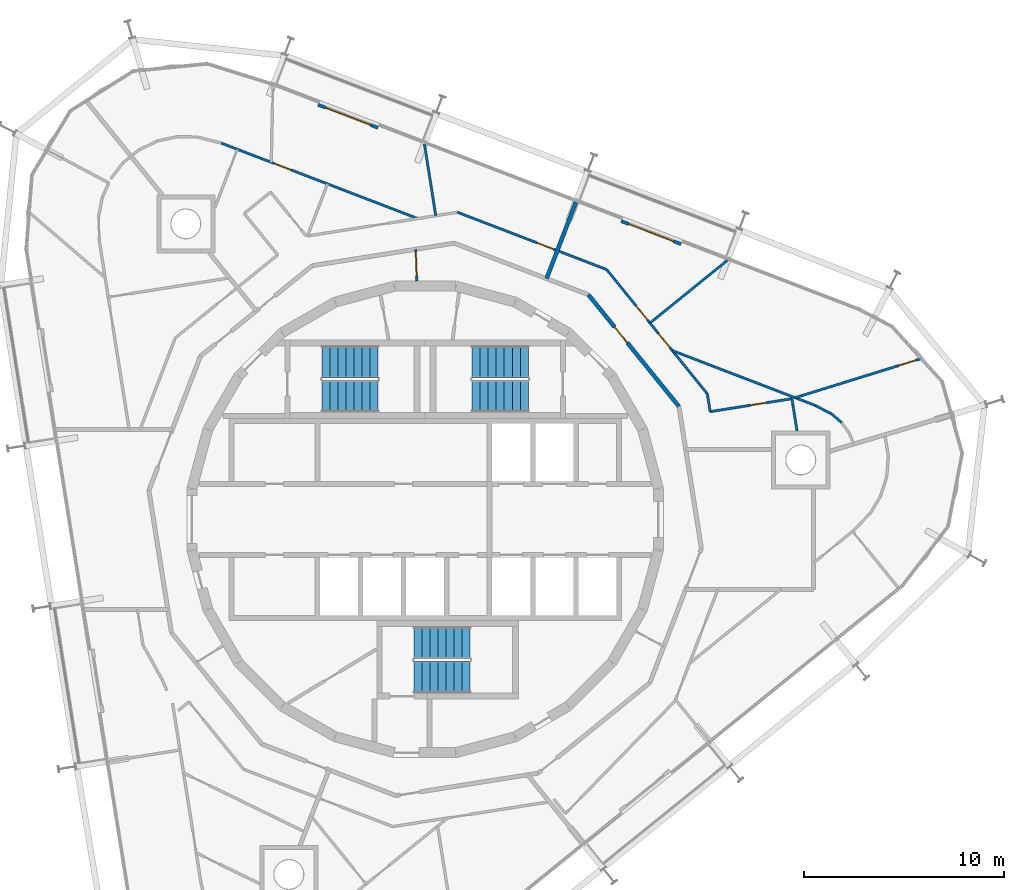
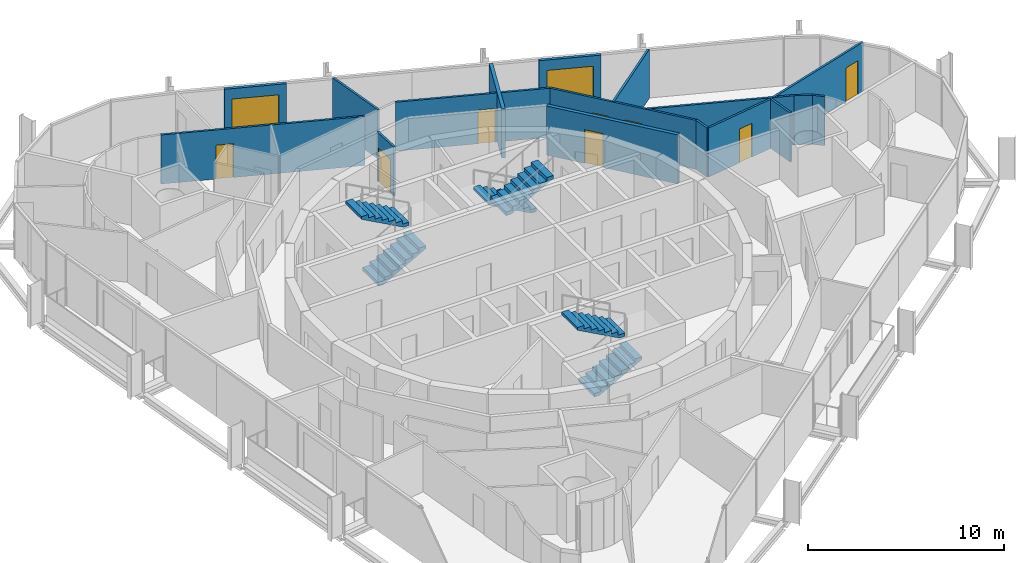
# One storey, part 16 of 17: 17 walls, 10 doors, 6 stair flights, 10 openings, 3 elements without a shape of their own.
"""IFC4 building model written with IfcOpenShell, lengths in metres."""

from ifc_helpers import new_model, si_unit, direction, frame, frame_2d, origin, place, context, subcontext, project, spatial, polyline, rectangle, outline, extrude, material, layer, layer_set, type_object, element, fill, aggregate, save


model = new_model("IFC4")

# Units and contexts
model_context = context("Model", 3, precision=1e-05, world=origin(), true_north=direction((0.0, 1.0)))
body_context = subcontext(model_context, "Body", "Model", "MODEL_VIEW")
ifc_project = project(units=[si_unit("LENGTHUNIT", "METRE"), si_unit("AREAUNIT", "SQUARE_METRE"), si_unit("VOLUMEUNIT", "CUBIC_METRE"), si_unit("PLANEANGLEUNIT", "RADIAN"), si_unit("MASSUNIT", "GRAM", prefix="KILO")], contexts=[model_context])

# Site, building, storey
site_placement = place(None, origin())
site = spatial("IfcSite", under=ifc_project, at=site_placement, CompositionType="ELEMENT")
building_placement = place(site_placement, origin())
building = spatial("IfcBuilding", under=site, at=building_placement, Name="Spindle Arch Residences", CompositionType="ELEMENT")
storey_placement = place(building_placement, frame((0.0, 0.0, 287.89990234375)))
storey = spatial("IfcBuildingStorey", under=building, at=storey_placement, Name="L74", CompositionType="ELEMENT", Elevation=287.89990234375)

# Wall, opening, door
ifc_material_1 = material(Name="Plasterboard on steel studs", Category="steel")
ifc_layer_1 = layer(ifc_material_1, 0.1201171875)
ifc_layer_set_1 = layer_set([ifc_layer_1], Name="Corridor division wall 120")
wall_type_1 = type_object("IfcWallType", Name="Corridor division wall 120", PredefinedType="PARTITIONING", material=ifc_layer_set_1)
wall_1_placement = place(storey_placement, frame((-0.47119140625, 13.492431640625, 0.0), z_axis=(0.0, 0.0, 1.0), x_axis=(0.034873173869, -0.999391745886, 0.0)))
wall_1 = element("IfcWall", 1, at=wall_1_placement, inside=storey, type_object=wall_type_1, Name="Corridor division wall R7C1-W001", PredefinedType="PARTITIONING", context=body_context, shape_type="SweptSolid", body=[
    extrude(rectangle(XDim=1.59619140625, YDim=0.1201171875, at=frame_2d((0.798095703125, 0.0))), origin(), (0.0, 0.0, 1.0), 3.050048828125),
])
opening_1_placement = place(wall_1_placement, frame((0.1201171875, 0.0, 0.0)))
opening_1 = element("IfcOpeningElement", 2, at=opening_1_placement, cuts=wall_1, Name="Opening R7C1-CD01", PredefinedType="OPENING", context=body_context, shape_type="SweptSolid", body=[
    extrude(rectangle(XDim=1.199951171875, YDim=2.10009765625, at=frame_2d((0.60009765625, 1.050048828125))), frame((0.0, 0.070068359375, 0.0), z_axis=(0.0, -1.0, 0.0), x_axis=(1.0, 0.0, 0.0)), (0.0, 0.0, 1.0), 0.14013671875),
])
ifc_material_2 = material(Name="Steel, fire-resisting door", Category="steel")
door_type_1 = type_object("IfcDoorType", Name="Corridor division door 1200x2100", OperationType="NOTDEFINED", PredefinedType="DOOR", material=ifc_material_2)
door_1_placement = place(opening_1_placement, origin())
door_1 = element("IfcDoor", 3, at=door_1_placement, inside=storey, type_object=door_type_1, Name="Corridor division door R7C1-CD01", OperationType="DOUBLE_DOOR_SINGLE_SWING", OverallHeight=2.10009765625, OverallWidth=1.199951171875, PredefinedType="DOOR", context=body_context, shape_type="SweptSolid", body=[
    extrude(rectangle(XDim=1.199951171875, YDim=2.10009765625, at=frame_2d((0.60009765625, 1.050048828125))), frame((0.0, 0.02490234375, 0.0), z_axis=(0.0, -1.0, 0.0), x_axis=(1.0, 0.0, 0.0)), (0.0, 0.0, 1.0), 0.050048828125),
])
fill(opening_1, door_1)

ifc_material_3 = material(Name="Calcium silicate block, plastered")
ifc_layer_2 = layer(ifc_material_3, 0.199951171875)
ifc_layer_set_2 = layer_set([ifc_layer_2], Name="Corridor wall 200")
wall_type_2 = type_object("IfcWallType", Name="Corridor wall 200", PredefinedType="STANDARD", material=ifc_layer_set_2)
wall_2_placement = place(storey_placement, frame((12.67333984375, 5.642578125, 0.0), z_axis=(0.0, 0.0, 1.0), x_axis=(-0.629302871585, 0.777160148113, 0.0)))
wall_2 = element("IfcWall", 4, at=wall_2_placement, inside=storey, type_object=wall_type_2, Name="Corridor wall R7C1-W006", PredefinedType="STANDARD", context=body_context, shape_type="SweptSolid", body=[
    extrude(rectangle(XDim=7.180908203125, YDim=0.199951171875, at=frame_2d((3.59033203125, 0.0))), origin(), (0.0, 0.0, 1.0), 3.050048828125),
])
opening_2_placement = place(wall_2_placement, frame((4.10009765625, 0.0, 0.0)))
opening_2 = element("IfcOpeningElement", 5, at=opening_2_placement, cuts=wall_2, Name="Opening R7C1-FD01", PredefinedType="OPENING", context=body_context, shape_type="SweptSolid", body=[
    extrude(rectangle(XDim=1.0, YDim=2.10009765625, at=frame_2d((0.5, 1.050048828125))), frame((0.0, 0.10986328125, 0.0), z_axis=(0.0, -1.0, 0.0), x_axis=(1.0, 0.0, 0.0)), (0.0, 0.0, 1.0), 0.219970703125),
])
ifc_material_4 = material(Name="Timber, fire-resisting door set", Category="wood")
door_type_2 = type_object("IfcDoorType", Name="Flat entrance door 1000x2100", OperationType="NOTDEFINED", PredefinedType="DOOR", material=ifc_material_4)
door_2_placement = place(opening_2_placement, origin())
door_2 = element("IfcDoor", 6, at=door_2_placement, inside=storey, type_object=door_type_2, Name="Flat entrance door R7C1-FD01", OperationType="SINGLE_SWING_LEFT", OverallHeight=2.10009765625, OverallWidth=1.0, PredefinedType="DOOR", context=body_context, shape_type="SweptSolid", body=[
    extrude(rectangle(XDim=1.0, YDim=2.10009765625, at=frame_2d((0.5, 1.050048828125))), frame((0.0, 0.02490234375, 0.0), z_axis=(0.0, -1.0, 0.0), x_axis=(1.0, 0.0, 0.0)), (0.0, 0.0, 1.0), 0.050048828125),
])
fill(opening_2, door_2)

# Wall
ifc_material_5 = material(Name="Plasterboard on steel studs", Category="steel")
ifc_layer_3 = layer(ifc_material_5, 0.1201171875)
ifc_layer_set_3 = layer_set([ifc_layer_3], Name="Flat partition 120")
wall_type_3 = type_object("IfcWallType", Name="Flat partition 120", PredefinedType="PARTITIONING", material=ifc_layer_set_3)
wall_3_placement = place(storey_placement, frame((18.572021484375, 4.421142578125, 0.0), z_axis=(0.0, 0.0, 1.0), x_axis=(-0.156347444306, 0.987702119396, 0.0)))
element("IfcWall", 7, at=wall_3_placement, inside=storey, type_object=wall_type_3, Name="Flat partition R7C1-W031", PredefinedType="PARTITIONING", context=body_context, shape_type="SweptSolid", body=[
    extrude(rectangle(XDim=1.628662109375, YDim=0.1201171875, at=frame_2d((0.814453125, 0.0))), origin(), (0.0, 0.0, 1.0), 3.050048828125),
])

# Wall, opening, door
wall_4_placement = place(storey_placement, frame((18.3173828125, 6.02978515625, 0.0), z_axis=(0.0, 0.0, 1.0), x_axis=(-0.9876848128, -0.156456737039, 0.0)))
wall_4 = element("IfcWall", 8, at=wall_4_placement, inside=storey, type_object=wall_type_3, Name="Flat partition R7C1-W032", PredefinedType="PARTITIONING", context=body_context, shape_type="SweptSolid", body=[
    extrude(rectangle(XDim=4.13525390625, YDim=0.1201171875, at=frame_2d((2.067626953125, 0.0))), origin(), (0.0, 0.0, 1.0), 3.050048828125),
])
opening_3_placement = place(wall_4_placement, frame((1.300048828125, 0.0, 0.0)))
opening_3 = element("IfcOpeningElement", 9, at=opening_3_placement, cuts=wall_4, Name="Opening R7C1-BD01", PredefinedType="OPENING", context=body_context, shape_type="SweptSolid", body=[
    extrude(rectangle(XDim=0.800048828125, YDim=2.10009765625, at=frame_2d((0.39990234375, 1.050048828125))), frame((0.0, 0.070068359375, 0.0), z_axis=(0.0, -1.0, 0.0), x_axis=(1.0, 0.0, 0.0)), (0.0, 0.0, 1.0), 0.14013671875),
])
ifc_material_6 = material(Name="Timber door set", Category="wood")
door_type_3 = type_object("IfcDoorType", Name="Bathroom door 800x2100", OperationType="NOTDEFINED", PredefinedType="DOOR", material=ifc_material_6)
door_3_placement = place(opening_3_placement, origin())
door_3 = element("IfcDoor", 10, at=door_3_placement, inside=storey, type_object=door_type_3, Name="Bathroom door R7C1-BD01", OperationType="SINGLE_SWING_LEFT", OverallHeight=2.10009765625, OverallWidth=0.800048828125, PredefinedType="DOOR", context=body_context, shape_type="SweptSolid", body=[
    extrude(rectangle(XDim=0.800048828125, YDim=2.10009765625, at=frame_2d((0.39990234375, 1.050048828125))), frame((0.0, 0.02490234375, 0.0), z_axis=(0.0, -1.0, 0.0), x_axis=(1.0, 0.0, 0.0)), (0.0, 0.0, 1.0), 0.050048828125),
])
fill(opening_3, door_3)

# Wall
wall_5_placement = place(storey_placement, frame((14.233154296875, 5.3828125, 0.0), z_axis=(0.0, 0.0, 1.0), x_axis=(-0.156365428504, 0.987699272435, 0.0)))
element("IfcWall", 11, at=wall_5_placement, inside=storey, type_object=wall_type_3, Name="Flat partition R7C1-W033", PredefinedType="PARTITIONING", context=body_context, shape_type="SweptSolid", body=[
    extrude(rectangle(XDim=0.90234375, YDim=0.1201171875, at=frame_2d((0.451171875, 0.0))), origin(), (0.0, 0.0, 1.0), 3.050048828125),
])

# Wall, openings, doors
wall_6_placement = place(storey_placement, frame((14.092041015625, 6.274169921875, 0.0), z_axis=(0.0, 0.0, 1.0), x_axis=(-0.62933367237, 0.777135206268, 0.0)))
wall_6 = element("IfcWall", 12, at=wall_6_placement, inside=storey, type_object=wall_type_3, Name="Flat partition R7C1-W034", PredefinedType="PARTITIONING", context=body_context, shape_type="SweptSolid", body=[
    extrude(rectangle(XDim=7.98486328125, YDim=0.1201171875, at=frame_2d((3.992431640625, 0.0))), origin(), (0.0, 0.0, 1.0), 3.050048828125),
])
opening_4_placement = place(wall_6_placement, frame((2.97802734375, 0.0, 0.0)))
opening_4 = element("IfcOpeningElement", 13, at=opening_4_placement, cuts=wall_6, Name="Opening R7C1-ID01", PredefinedType="OPENING", context=body_context, shape_type="SweptSolid", body=[
    extrude(rectangle(XDim=0.89990234375, YDim=2.10009765625, at=frame_2d((0.449951171875, 1.050048828125))), frame((0.0, 0.070068359375, 0.0), z_axis=(0.0, -1.0, 0.0), x_axis=(1.0, 0.0, 0.0)), (0.0, 0.0, 1.0), 0.14013671875),
])
opening_5_placement = place(wall_6_placement, frame((4.7490234375, 0.0, 0.0)))
opening_5 = element("IfcOpeningElement", 14, at=opening_5_placement, cuts=wall_6, Name="Opening R7C1-ID02", PredefinedType="OPENING", context=body_context, shape_type="SweptSolid", body=[
    extrude(rectangle(XDim=0.89990234375, YDim=2.10009765625, at=frame_2d((0.449951171875, 1.050048828125))), frame((0.0, 0.070068359375, 0.0), z_axis=(0.0, -1.0, 0.0), x_axis=(1.0, 0.0, 0.0)), (0.0, 0.0, 1.0), 0.14013671875),
])
ifc_material_7 = material(Name="Timber door set", Category="wood")
door_type_4 = type_object("IfcDoorType", Name="Room door 900x2100", OperationType="NOTDEFINED", PredefinedType="DOOR", material=ifc_material_7)
door_4_placement = place(opening_4_placement, origin())
door_4 = element("IfcDoor", 15, at=door_4_placement, inside=storey, type_object=door_type_4, Name="Room door R7C1-ID01", OperationType="SINGLE_SWING_LEFT", OverallHeight=2.10009765625, OverallWidth=0.89990234375, PredefinedType="DOOR", context=body_context, shape_type="SweptSolid", body=[
    extrude(rectangle(XDim=0.89990234375, YDim=2.10009765625, at=frame_2d((0.449951171875, 1.050048828125))), frame((0.0, 0.02490234375, 0.0), z_axis=(0.0, -1.0, 0.0), x_axis=(1.0, 0.0, 0.0)), (0.0, 0.0, 1.0), 0.050048828125),
])
fill(opening_4, door_4)
door_5_placement = place(opening_5_placement, origin())
door_5 = element("IfcDoor", 16, at=door_5_placement, inside=storey, type_object=door_type_4, Name="Room door R7C1-ID02", OperationType="SINGLE_SWING_LEFT", OverallHeight=2.10009765625, OverallWidth=0.89990234375, PredefinedType="DOOR", context=body_context, shape_type="SweptSolid", body=[
    extrude(rectangle(XDim=0.89990234375, YDim=2.10009765625, at=frame_2d((0.449951171875, 1.050048828125))), frame((0.0, 0.02490234375, 0.0), z_axis=(0.0, -1.0, 0.0), x_axis=(1.0, 0.0, 0.0)), (0.0, 0.0, 1.0), 0.050048828125),
])
fill(opening_5, door_5)

# Wall, opening, door
wall_7_placement = place(storey_placement, frame((9.06689453125, 12.4794921875, 0.0), z_axis=(0.0, 0.0, 1.0), x_axis=(-0.933579449035, 0.358370495911, 0.0)))
wall_7 = element("IfcWall", 17, at=wall_7_placement, inside=storey, type_object=wall_type_3, Name="Flat partition R7C1-W035", PredefinedType="PARTITIONING", context=body_context, shape_type="SweptSolid", body=[
    extrude(rectangle(XDim=7.98486328125, YDim=0.1201171875, at=frame_2d((3.992431640625, 0.0))), origin(), (0.0, 0.0, 1.0), 3.050048828125),
])
opening_6_placement = place(wall_7_placement, frame((2.841064453125, 0.0, 0.0)))
opening_6 = element("IfcOpeningElement", 18, at=opening_6_placement, cuts=wall_7, Name="Opening R7C1-ID04", PredefinedType="OPENING", context=body_context, shape_type="SweptSolid", body=[
    extrude(rectangle(XDim=0.89990234375, YDim=2.10009765625, at=frame_2d((0.449951171875, 1.050048828125))), frame((0.0, 0.070068359375, 0.0), z_axis=(0.0, -1.0, 0.0), x_axis=(1.0, 0.0, 0.0)), (0.0, 0.0, 1.0), 0.14013671875),
])
door_6_placement = place(opening_6_placement, origin())
door_6 = element("IfcDoor", 19, at=door_6_placement, inside=storey, type_object=door_type_4, Name="Room door R7C1-ID04", OperationType="SINGLE_SWING_LEFT", OverallHeight=2.10009765625, OverallWidth=0.89990234375, PredefinedType="DOOR", context=body_context, shape_type="SweptSolid", body=[
    extrude(rectangle(XDim=0.89990234375, YDim=2.10009765625, at=frame_2d((0.449951171875, 1.050048828125))), frame((0.0, 0.02490234375, 0.0), z_axis=(0.0, -1.0, 0.0), x_axis=(1.0, 0.0, 0.0)), (0.0, 0.0, 1.0), 0.050048828125),
])
fill(opening_6, door_6)

# Walls
wall_8_placement = place(storey_placement, frame((12.34375, 8.43310546875, 0.0), z_axis=(0.0, 0.0, 1.0), x_axis=(0.933573435176, -0.358386162029, 0.0)))
element("IfcWall", 20, at=wall_8_placement, inside=storey, type_object=wall_type_3, Name="Flat partition R7C1-W036", PredefinedType="PARTITIONING", context=body_context, shape_type="SweptSolid", body=[
    extrude(rectangle(XDim=7.64404296875, YDim=0.1201171875, at=frame_2d((3.822021484375, 0.0))), origin(), (0.0, 0.0, 1.0), 3.050048828125),
])
wall_9_placement = place(storey_placement, frame((19.47998046875, 5.693603515625, 0.0), z_axis=(0.0, 0.0, 1.0), x_axis=(0.885755816688, -0.464151519662, 0.0)))
element("IfcWall", 21, at=wall_9_placement, inside=storey, type_object=wall_type_3, Name="Flat partition R7C1-W037", PredefinedType="PARTITIONING", context=body_context, shape_type="SweptSolid", body=[
    extrude(rectangle(XDim=0.94677734375, YDim=0.1201171875, at=frame_2d((0.473388671875, 0.0))), origin(), (0.0, 0.0, 1.0), 3.050048828125),
])
wall_10_placement = place(storey_placement, frame((20.318603515625, 5.254150390625, 0.0), z_axis=(0.0, 0.0, 1.0), x_axis=(0.754646464307, -0.656131628493, 0.0)))
element("IfcWall", 22, at=wall_10_placement, inside=storey, type_object=wall_type_3, Name="Flat partition R7C1-W038", PredefinedType="PARTITIONING", context=body_context, shape_type="SweptSolid", body=[
    extrude(rectangle(XDim=0.641845703125, YDim=0.1201171875, at=frame_2d((0.32080078125, 0.0))), origin(), (0.0, 0.0, 1.0), 3.050048828125),
])

# Wall, opening, door
wall_11_placement = place(storey_placement, frame((24.883056640625, 8.06640625, 0.0), z_axis=(0.0, 0.0, 1.0), x_axis=(-0.955106049863, -0.296264127958, 0.0)))
wall_11 = element("IfcWall", 23, at=wall_11_placement, inside=storey, type_object=wall_type_3, Name="Flat partition R7C1-W041", PredefinedType="PARTITIONING", context=body_context, shape_type="SweptSolid", body=[
    extrude(rectangle(XDim=6.707763671875, YDim=0.1201171875, at=frame_2d((3.35400390625, 0.0))), origin(), (0.0, 0.0, 1.0), 3.050048828125),
])
opening_7_placement = place(wall_11_placement, frame((0.39990234375, 0.0, 0.0)))
opening_7 = element("IfcOpeningElement", 24, at=opening_7_placement, cuts=wall_11, Name="Opening R7C1-ID03", PredefinedType="OPENING", context=body_context, shape_type="SweptSolid", body=[
    extrude(rectangle(XDim=0.89990234375, YDim=2.10009765625, at=frame_2d((0.449951171875, 1.050048828125))), frame((0.0, 0.070068359375, 0.0), z_axis=(0.0, -1.0, 0.0), x_axis=(1.0, 0.0, 0.0)), (0.0, 0.0, 1.0), 0.14013671875),
])
door_7_placement = place(opening_7_placement, origin())
door_7 = element("IfcDoor", 25, at=door_7_placement, inside=storey, type_object=door_type_4, Name="Room door R7C1-ID03", OperationType="SINGLE_SWING_LEFT", OverallHeight=2.10009765625, OverallWidth=0.89990234375, PredefinedType="DOOR", context=body_context, shape_type="SweptSolid", body=[
    extrude(rectangle(XDim=0.89990234375, YDim=2.10009765625, at=frame_2d((0.449951171875, 1.050048828125))), frame((0.0, 0.02490234375, 0.0), z_axis=(0.0, -1.0, 0.0), x_axis=(1.0, 0.0, 0.0)), (0.0, 0.0, 1.0), 0.050048828125),
])
fill(opening_7, door_7)

# Walls
wall_12_placement = place(storey_placement, frame((15.100830078125, 12.944580078125, 0.0), z_axis=(0.0, 0.0, 1.0), x_axis=(-0.777178675378, -0.629279990575, 0.0)))
element("IfcWall", 26, at=wall_12_placement, inside=storey, type_object=wall_type_3, Name="Flat partition R7C1-W042", PredefinedType="PARTITIONING", context=body_context, shape_type="SweptSolid", body=[
    extrude(rectangle(XDim=4.98193359375, YDim=0.1201171875, at=frame_2d((2.490966796875, 0.0))), origin(), (0.0, 0.0, 1.0), 3.050048828125),
])
wall_13_placement = place(storey_placement, frame((-0.037353515625, 18.755615234375, 0.0), z_axis=(0.0, 0.0, 1.0), x_axis=(0.156421851095, -0.987690338365, 0.0)))
element("IfcWall", 27, at=wall_13_placement, inside=storey, type_object=wall_type_3, Name="Flat partition R7C1-W048", PredefinedType="PARTITIONING", context=body_context, shape_type="SweptSolid", body=[
    extrude(rectangle(XDim=3.63037109375, YDim=0.1201171875, at=frame_2d((1.815185546875, 0.0))), origin(), (0.0, 0.0, 1.0), 3.050048828125),
])

# Wall, opening, door
wall_14_placement = place(storey_placement, frame((-10.180419921875, 18.793212890625, 0.0), z_axis=(0.0, 0.0, 1.0), x_axis=(0.933574148929, -0.358384302742, 0.0)))
wall_14 = element("IfcWall", 28, at=wall_14_placement, inside=storey, type_object=wall_type_3, Name="Flat partition R7C1-W049", PredefinedType="PARTITIONING", context=body_context, shape_type="SweptSolid", body=[
    extrude(rectangle(XDim=10.508544921875, YDim=0.1201171875, at=frame_2d((5.25439453125, 0.0))), origin(), (0.0, 0.0, 1.0), 3.050048828125),
])
opening_8_placement = place(wall_14_placement, frame((2.829345703125, 0.0, 0.0)))
opening_8 = element("IfcOpeningElement", 29, at=opening_8_placement, cuts=wall_14, Name="Opening R7C1-ID06", PredefinedType="OPENING", context=body_context, shape_type="SweptSolid", body=[
    extrude(rectangle(XDim=0.89990234375, YDim=2.10009765625, at=frame_2d((0.449951171875, 1.050048828125))), frame((0.0, 0.070068359375, 0.0), z_axis=(0.0, -1.0, 0.0), x_axis=(1.0, 0.0, 0.0)), (0.0, 0.0, 1.0), 0.14013671875),
])
door_8_placement = place(opening_8_placement, origin())
door_8 = element("IfcDoor", 30, at=door_8_placement, inside=storey, type_object=door_type_4, Name="Room door R7C1-ID06", OperationType="SINGLE_SWING_RIGHT", OverallHeight=2.10009765625, OverallWidth=0.89990234375, PredefinedType="DOOR", context=body_context, shape_type="SweptSolid", body=[
    extrude(rectangle(XDim=0.89990234375, YDim=2.10009765625, at=frame_2d((0.449951171875, 1.050048828125))), frame((0.0, 0.02490234375, 0.0), z_axis=(0.0, -1.0, 0.0), x_axis=(1.0, 0.0, 0.0)), (0.0, 0.0, 1.0), 0.050048828125),
])
fill(opening_8, door_8)

# Wall
ifc_material_8 = material(Name="Calcium silicate block, plastered")
ifc_layer_4 = layer(ifc_material_8, 0.199951171875)
ifc_layer_set_4 = layer_set([ifc_layer_4], Name="Flat party wall 200")
wall_type_4 = type_object("IfcWallType", Name="Flat party wall 200", PredefinedType="STANDARD", material=ifc_layer_set_4)
wall_15_placement = place(storey_placement, frame((7.53173828125, 15.85009765625, 0.0), z_axis=(0.0, 0.0, 1.0), x_axis=(-0.358355996975, -0.933585014571, 0.0)))
element("IfcWall", 31, at=wall_15_placement, inside=storey, type_object=wall_type_4, Name="Flat party wall R7C1-W022", PredefinedType="STANDARD", context=body_context, shape_type="SweptSolid", body=[
    extrude(rectangle(XDim=4.096435546875, YDim=0.199951171875, at=frame_2d((2.04833984375, 0.0))), origin(), (0.0, 0.0, 1.0), 3.050048828125),
])

# Wall, opening, door
ifc_material_9 = material(Name="Non-combustible mineral wool insulated aluminium faced external wall (K0)", Category="aluminium")
ifc_layer_5 = layer(ifc_material_9, 0.159912109375)
ifc_layer_set_5 = layer_set([ifc_layer_5], Name="Insulated external wall panel 160")
wall_type_5 = type_object("IfcWallType", Name="Insulated external wall panel 160", PredefinedType="STANDARD", material=ifc_layer_set_5)
wall_16_placement = place(storey_placement, frame((12.78125, 13.74951171875, 0.0), z_axis=(0.0, 0.0, 1.0), x_axis=(-0.933579413923, 0.358370587381, 0.0)))
wall_16 = element("IfcWall", 32, at=wall_16_placement, inside=storey, type_object=wall_type_5, Name="External wall L74 bay 6", PredefinedType="STANDARD", context=body_context, shape_type="SweptSolid", body=[
    extrude(rectangle(XDim=3.199951171875, YDim=0.159912109375, at=frame_2d((1.60009765625, 0.0))), origin(), (0.0, 0.0, 1.0), 3.050048828125),
])
opening_9_placement = place(wall_16_placement, frame((0.39990234375, 0.0, 0.0)))
opening_9 = element("IfcOpeningElement", 33, at=opening_9_placement, cuts=wall_16, Name="Opening BD06", PredefinedType="OPENING", context=body_context, shape_type="SweptSolid", body=[
    extrude(rectangle(XDim=2.39990234375, YDim=2.39990234375, at=frame_2d((1.199951171875, 1.199951171875))), frame((0.0, 0.08984375, 0.0), z_axis=(0.0, -1.0, 0.0), x_axis=(1.0, 0.0, 0.0)), (0.0, 0.0, 1.0), 0.179931640625),
])
ifc_material_10 = material(Name="Bronze aluminium frame, tinted double glazing", Category="aluminium")
door_type_5 = type_object("IfcDoorType", Name="Sliding glazed balcony door 2400x2400", OperationType="DOUBLE_DOOR_SLIDING", PredefinedType="DOOR", material=ifc_material_10)
door_9_placement = place(opening_9_placement, origin())
door_9 = element("IfcDoor", 34, at=door_9_placement, inside=storey, type_object=door_type_5, Name="Balcony door BD06", OperationType="DOUBLE_DOOR_SLIDING", OverallHeight=2.39990234375, OverallWidth=2.39990234375, PredefinedType="DOOR", context=body_context, shape_type="SweptSolid", body=[
    extrude(rectangle(XDim=2.39990234375, YDim=2.39990234375, at=frame_2d((1.199951171875, 1.199951171875))), frame((0.0, 0.02490234375, 0.0), z_axis=(0.0, -1.0, 0.0), x_axis=(1.0, 0.0, 0.0)), (0.0, 0.0, 1.0), 0.050048828125),
])
fill(opening_9, door_9)

wall_17_placement = place(storey_placement, frame((-2.35693359375, 19.560302734375, 0.0), z_axis=(0.0, 0.0, 1.0), x_axis=(-0.933553885508, 0.358437083534, 0.0)))
wall_17 = element("IfcWall", 35, at=wall_17_placement, inside=storey, type_object=wall_type_5, Name="External wall L74 bay 8", PredefinedType="STANDARD", context=body_context, shape_type="SweptSolid", body=[
    extrude(rectangle(XDim=3.199951171875, YDim=0.159912109375, at=frame_2d((1.60009765625, 0.0))), origin(), (0.0, 0.0, 1.0), 3.050048828125),
])
opening_10_placement = place(wall_17_placement, frame((0.39990234375, 0.0, 0.0)))
opening_10 = element("IfcOpeningElement", 36, at=opening_10_placement, cuts=wall_17, Name="Opening BD08", PredefinedType="OPENING", context=body_context, shape_type="SweptSolid", body=[
    extrude(rectangle(XDim=2.39990234375, YDim=2.39990234375, at=frame_2d((1.199951171875, 1.199951171875))), frame((0.0, 0.08984375, 0.0), z_axis=(0.0, -1.0, 0.0), x_axis=(1.0, 0.0, 0.0)), (0.0, 0.0, 1.0), 0.179931640625),
])
door_10_placement = place(opening_10_placement, origin())
door_10 = element("IfcDoor", 37, at=door_10_placement, inside=storey, type_object=door_type_5, Name="Balcony door BD08", OperationType="DOUBLE_DOOR_SLIDING", OverallHeight=2.39990234375, OverallWidth=2.39990234375, PredefinedType="DOOR", context=body_context, shape_type="SweptSolid", body=[
    extrude(rectangle(XDim=2.39990234375, YDim=2.39990234375, at=frame_2d((1.199951171875, 1.199951171875))), frame((0.0, 0.02490234375, 0.0), z_axis=(0.0, -1.0, 0.0), x_axis=(1.0, 0.0, 0.0)), (0.0, 0.0, 1.0), 0.050048828125),
])
fill(opening_10, door_10)

# Stair, stair flights
ifc_material_11 = material(Name="Concrete C50/60", Category="concrete")
stair_type = type_object("IfcStairType", Name="Exit stair 16 risers", PredefinedType="HALF_TURN_STAIR", material=ifc_material_11)
stair_1_placement = place(storey_placement, origin())
stair_1 = element("IfcStair", 38, at=stair_1_placement, inside=storey, type_object=stair_type, Name="L74 Exit stair ST1", PredefinedType="HALF_TURN_STAIR")
ifc_material_12 = material(Name="Concrete C50/60", Category="concrete")
stair_flight_type = type_object("IfcStairFlightType", Name="Exit stair flight", PredefinedType="STRAIGHT", material=ifc_material_12)
stair_flight_1_placement = place(storey_placement, frame((5.14990234375, 7.8701171875, 0.0), z_axis=(0.0, 0.0, 1.0), x_axis=(-1.0, 0.0, 0.0)))
stair_flight_1 = element("IfcStairFlight", 39, at=stair_flight_1_placement, type_object=stair_flight_type, Name="ST1 flight 1", NumberOfRisers=8, NumberOfTreads=7, PredefinedType="STRAIGHT", RiserHeight=0.21875, TreadLength=0.4, context=body_context, shape_type="SweptSolid", body=[
    extrude(outline(polyline([(0.0, 0.0), (0.0, 0.21875), (0.39990234375, 0.21875), (0.39990234375, 0.4375), (0.800048828125, 0.4375), (0.800048828125, 0.65625), (1.199951171875, 0.65625), (1.199951171875, 0.875), (1.60009765625, 0.875), (1.60009765625, 1.09375), (2.0, 1.09375), (2.0, 1.3125), (2.39990234375, 1.3125), (2.39990234375, 1.53125), (2.800048828125, 1.53125), (2.800048828125, 1.75), (2.800048828125, 1.3603515625), (0.3125, 0.0), (0.0, 0.0)])), frame((0.0, 0.800048828125, 0.0), z_axis=(0.0, -1.0, 0.0), x_axis=(1.0, 0.0, 0.0)), (0.0, 0.0, 1.0), 1.60009765625),
])
stair_flight_2_placement = place(storey_placement, frame((2.35009765625, 6.14990234375, 1.75), z_axis=(0.0, 0.0, 1.0), x_axis=(1.0, 0.0, 0.0)))
stair_flight_2 = element("IfcStairFlight", 40, at=stair_flight_2_placement, type_object=stair_flight_type, Name="ST1 flight 2", NumberOfRisers=8, NumberOfTreads=7, PredefinedType="STRAIGHT", RiserHeight=0.21875, TreadLength=0.4, context=body_context, shape_type="SweptSolid", body=[
    extrude(outline(polyline([(0.0, 0.0), (0.0, 0.21875), (0.39990234375, 0.21875), (0.39990234375, 0.4375), (0.800048828125, 0.4375), (0.800048828125, 0.65625), (1.199951171875, 0.65625), (1.199951171875, 0.875), (1.60009765625, 0.875), (1.60009765625, 1.09375), (2.0, 1.09375), (2.0, 1.3125), (2.39990234375, 1.3125), (2.39990234375, 1.53125), (2.800048828125, 1.53125), (2.800048828125, 1.75), (2.800048828125, 1.3603515625), (0.3125, 0.0), (0.0, 0.0)])), frame((0.0, 0.800048828125, 0.0), z_axis=(0.0, -1.0, 0.0), x_axis=(1.0, 0.0, 0.0)), (0.0, 0.0, 1.0), 1.60009765625),
])
aggregate(stair_1, [stair_flight_1, stair_flight_2])

stair_2_placement = place(storey_placement, origin())
stair_2 = element("IfcStair", 41, at=stair_2_placement, inside=storey, type_object=stair_type, Name="L74 Exit stair ST2", PredefinedType="HALF_TURN_STAIR")
stair_flight_3_placement = place(storey_placement, frame((-5.14990234375, 6.14990234375, 0.0), z_axis=(0.0, 0.0, 1.0), x_axis=(1.0, 0.0, 0.0)))
stair_flight_3 = element("IfcStairFlight", 42, at=stair_flight_3_placement, type_object=stair_flight_type, Name="ST2 flight 1", NumberOfRisers=8, NumberOfTreads=7, PredefinedType="STRAIGHT", RiserHeight=0.21875, TreadLength=0.4, context=body_context, shape_type="SweptSolid", body=[
    extrude(outline(polyline([(0.0, 0.0), (0.0, 0.21875), (0.39990234375, 0.21875), (0.39990234375, 0.4375), (0.800048828125, 0.4375), (0.800048828125, 0.65625), (1.199951171875, 0.65625), (1.199951171875, 0.875), (1.60009765625, 0.875), (1.60009765625, 1.09375), (2.0, 1.09375), (2.0, 1.3125), (2.39990234375, 1.3125), (2.39990234375, 1.53125), (2.800048828125, 1.53125), (2.800048828125, 1.75), (2.800048828125, 1.3603515625), (0.3125, 0.0), (0.0, 0.0)])), frame((0.0, 0.800048828125, 0.0), z_axis=(0.0, -1.0, 0.0), x_axis=(1.0, 0.0, 0.0)), (0.0, 0.0, 1.0), 1.60009765625),
])
stair_flight_4_placement = place(storey_placement, frame((-2.35009765625, 7.8701171875, 1.75), z_axis=(0.0, 0.0, 1.0), x_axis=(-1.0, 0.0, 0.0)))
stair_flight_4 = element("IfcStairFlight", 43, at=stair_flight_4_placement, type_object=stair_flight_type, Name="ST2 flight 2", NumberOfRisers=8, NumberOfTreads=7, PredefinedType="STRAIGHT", RiserHeight=0.21875, TreadLength=0.4, context=body_context, shape_type="SweptSolid", body=[
    extrude(outline(polyline([(0.0, 0.0), (0.0, 0.21875), (0.39990234375, 0.21875), (0.39990234375, 0.4375), (0.800048828125, 0.4375), (0.800048828125, 0.65625), (1.199951171875, 0.65625), (1.199951171875, 0.875), (1.60009765625, 0.875), (1.60009765625, 1.09375), (2.0, 1.09375), (2.0, 1.3125), (2.39990234375, 1.3125), (2.39990234375, 1.53125), (2.800048828125, 1.53125), (2.800048828125, 1.75), (2.800048828125, 1.3603515625), (0.3125, 0.0), (0.0, 0.0)])), frame((0.0, 0.800048828125, 0.0), z_axis=(0.0, -1.0, 0.0), x_axis=(1.0, 0.0, 0.0)), (0.0, 0.0, 1.0), 1.60009765625),
])
aggregate(stair_2, [stair_flight_3, stair_flight_4])

stair_3_placement = place(storey_placement, origin())
stair_3 = element("IfcStair", 44, at=stair_3_placement, inside=storey, type_object=stair_type, Name="L74 Exit stair ST3", PredefinedType="HALF_TURN_STAIR")
stair_flight_5_placement = place(storey_placement, frame((-0.550048828125, -7.8701171875, 0.0), z_axis=(0.0, 0.0, 1.0), x_axis=(1.0, 0.0, 0.0)))
stair_flight_5 = element("IfcStairFlight", 45, at=stair_flight_5_placement, type_object=stair_flight_type, Name="ST3 flight 1", NumberOfRisers=8, NumberOfTreads=7, PredefinedType="STRAIGHT", RiserHeight=0.21875, TreadLength=0.4, context=body_context, shape_type="SweptSolid", body=[
    extrude(outline(polyline([(0.0, 0.0), (0.0, 0.21875), (0.39990234375, 0.21875), (0.39990234375, 0.4375), (0.800048828125, 0.4375), (0.800048828125, 0.65625), (1.199951171875, 0.65625), (1.199951171875, 0.875), (1.60009765625, 0.875), (1.60009765625, 1.09375), (2.0, 1.09375), (2.0, 1.3125), (2.39990234375, 1.3125), (2.39990234375, 1.53125), (2.800048828125, 1.53125), (2.800048828125, 1.75), (2.800048828125, 1.3603515625), (0.3125, 0.0), (0.0, 0.0)])), frame((0.0, 0.800048828125, 0.0), z_axis=(0.0, -1.0, 0.0), x_axis=(1.0, 0.0, 0.0)), (0.0, 0.0, 1.0), 1.60009765625),
])
stair_flight_6_placement = place(storey_placement, frame((2.25, -6.14990234375, 1.75), z_axis=(0.0, 0.0, 1.0), x_axis=(-1.0, 0.0, 0.0)))
stair_flight_6 = element("IfcStairFlight", 46, at=stair_flight_6_placement, type_object=stair_flight_type, Name="ST3 flight 2", NumberOfRisers=8, NumberOfTreads=7, PredefinedType="STRAIGHT", RiserHeight=0.21875, TreadLength=0.4, context=body_context, shape_type="SweptSolid", body=[
    extrude(outline(polyline([(0.0, 0.0), (0.0, 0.21875), (0.39990234375, 0.21875), (0.39990234375, 0.4375), (0.800048828125, 0.4375), (0.800048828125, 0.65625), (1.199951171875, 0.65625), (1.199951171875, 0.875), (1.60009765625, 0.875), (1.60009765625, 1.09375), (2.0, 1.09375), (2.0, 1.3125), (2.39990234375, 1.3125), (2.39990234375, 1.53125), (2.800048828125, 1.53125), (2.800048828125, 1.75), (2.800048828125, 1.3603515625), (0.3125, 0.0), (0.0, 0.0)])), frame((0.0, 0.800048828125, 0.0), z_axis=(0.0, -1.0, 0.0), x_axis=(1.0, 0.0, 0.0)), (0.0, 0.0, 1.0), 1.60009765625),
])
aggregate(stair_3, [stair_flight_5, stair_flight_6])

save(model, "model.ifc")
